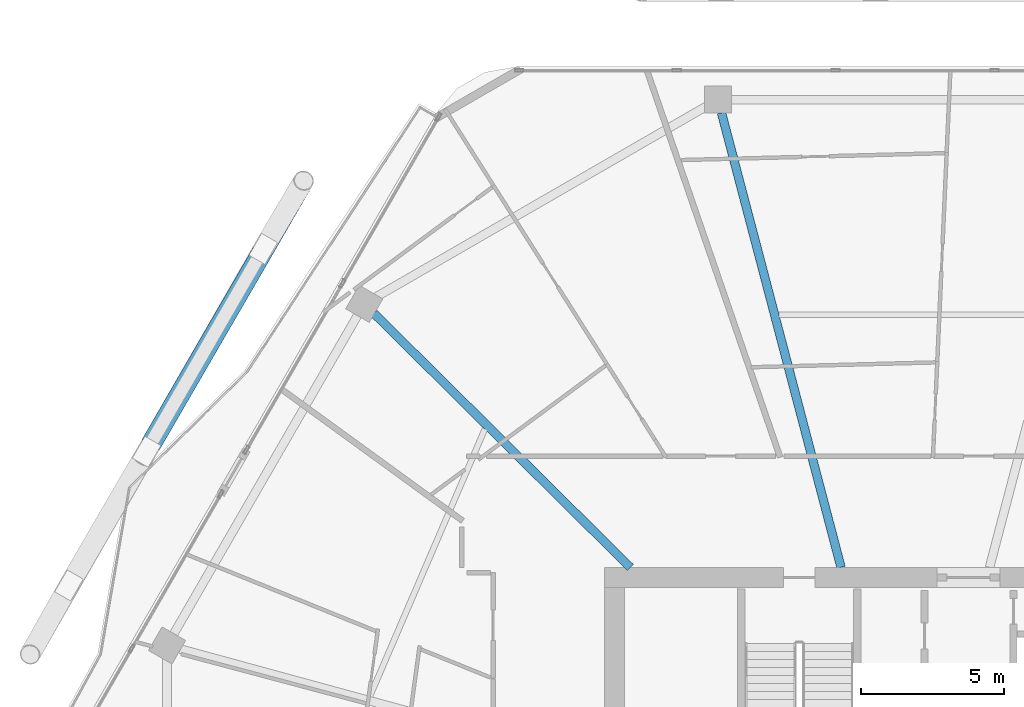
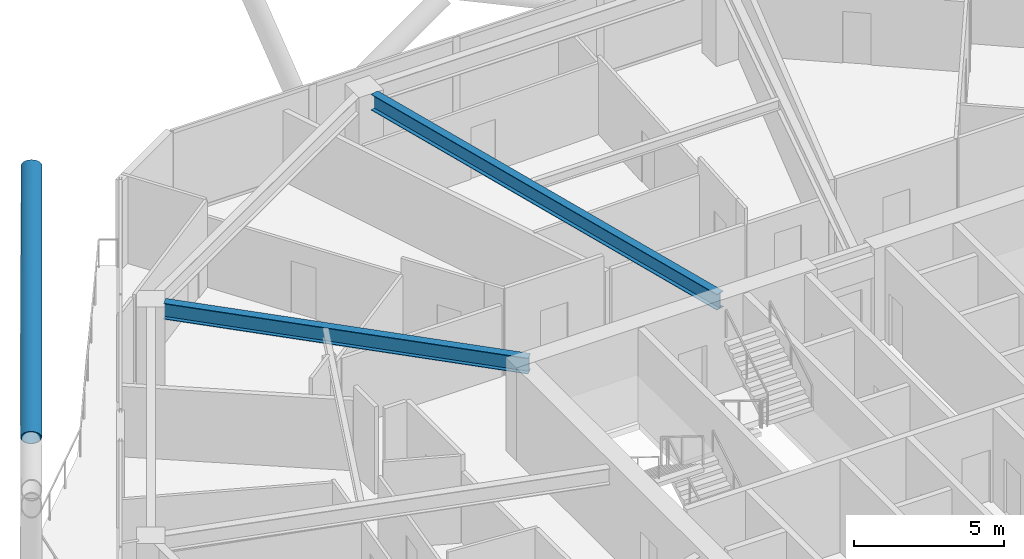
# One storey, part 12 of 28: 2 beams, 1 member.
"""IFC4 building model written with IfcOpenShell, lengths in metres."""

from ifc_helpers import new_model, si_unit, direction, frame, origin, origin_2d, place, context, subcontext, project, spatial, hollow_circle, i_section, extrude, material, material_profile, profile_set, type_object, element, save


model = new_model("IFC4")

# Units and contexts
model_context = context("Model", 3, precision=1e-05, world=origin(), true_north=direction((0.0, 1.0)))
body_context = subcontext(model_context, "Body", "Model", "MODEL_VIEW")
ifc_project = project(units=[si_unit("LENGTHUNIT", "METRE"), si_unit("AREAUNIT", "SQUARE_METRE"), si_unit("VOLUMEUNIT", "CUBIC_METRE"), si_unit("PLANEANGLEUNIT", "RADIAN"), si_unit("MASSUNIT", "GRAM", prefix="KILO")], contexts=[model_context])

# Site, building, storey
site_placement = place(None, origin())
site = spatial("IfcSite", under=ifc_project, at=site_placement, CompositionType="ELEMENT")
building_placement = place(site_placement, origin())
building = spatial("IfcBuilding", under=site, at=building_placement, Name="Zuhravey Tower", CompositionType="ELEMENT")
storey_placement = place(building_placement, frame((0.0, 0.0, 199.800048828125)))
storey = spatial("IfcBuildingStorey", under=building, at=storey_placement, Name="L50", CompositionType="ELEMENT", Elevation=199.800048828125)

# Member
ifc_material_1 = material(Name="Steel SM460", Category="steel")
ifc_material_profile_1 = material_profile(ifc_material_1, hollow_circle(Radius=0.355712890625, WallThickness=0.031982421875, at=origin_2d()), Name="CHS-711.2x32")
ifc_profile_set_1 = profile_set([ifc_material_profile_1], Name="Steel SM460")
member_type = type_object("IfcMemberType", Name="Exoskeleton Zone 2 Diagrid CHS711x32", PredefinedType="BRACE", material=ifc_profile_set_1)
member_placement = place(storey_placement, frame((9.34375, 46.165283203125, 3.44921875), z_axis=(0.473436747234, 0.817452905317, 0.328067666736), x_axis=(-0.86534615854, 0.501174646107, 0.0)))
element("IfcMember", 1, at=member_placement, inside=storey, type_object=member_type, Name="L50 Face 3 Split Diagrid Brace 3B", PredefinedType="BRACE", context=body_context, shape_type="SweptSolid", body=[
    extrude(hollow_circle(Radius=0.355712890625, WallThickness=0.031982421875, at=origin_2d()), origin(), (0.0, 0.0, 1.0), 11.190185546875),
])

# Beams
ifc_material_2 = material(Name="Steel SM355", Category="steel")
ifc_material_profile_2 = material_profile(ifc_material_2, i_section(OverallWidth=0.300048828125, OverallDepth=0.64990234375, WebThickness=0.012939453125, FlangeThickness=0.02197265625, at=origin_2d()), Name="H-650x300x13x22")
ifc_profile_set_2 = profile_set([ifc_material_profile_2], Name="Steel SM355")
beam_type = type_object("IfcBeamType", Name="Radial Primary Girder H650x300", PredefinedType="BEAM", material=ifc_profile_set_2)
beam_1_placement = place(storey_placement, frame((33.4091796875, 41.85302734375, 3.224853515625), z_axis=(-0.254299806285, 0.967125435775, 0.0), x_axis=(-0.967125435775, -0.254299806285, 0.0)))
element("IfcBeam", 2, at=beam_1_placement, inside=storey, type_object=beam_type, Name="L50 RG2 BM-L50-RAD-04", PredefinedType="BEAM", context=body_context, shape_type="SweptSolid", body=[
    extrude(i_section(OverallWidth=0.300048828125, OverallDepth=0.64990234375, WebThickness=0.012939453125, FlangeThickness=0.02197265625, at=origin_2d()), origin(), (0.0, 0.0, 1.0), 16.396728515625),
])
beam_2_placement = place(storey_placement, frame((26.054443359375, 41.85302734375, 3.224853515625), z_axis=(-0.710406645816, 0.703791444663, 0.0), x_axis=(-0.703791444663, -0.710406645816, 0.0)))
element("IfcBeam", 3, at=beam_2_placement, inside=storey, type_object=beam_type, Name="L50 RG2 BM-L50-RAD-05", PredefinedType="BEAM", context=body_context, shape_type="SweptSolid", body=[
    extrude(i_section(OverallWidth=0.300048828125, OverallDepth=0.64990234375, WebThickness=0.012939453125, FlangeThickness=0.02197265625, at=origin_2d()), origin(), (0.0, 0.0, 1.0), 12.5849609375),
])

save(model, "model.ifc")
